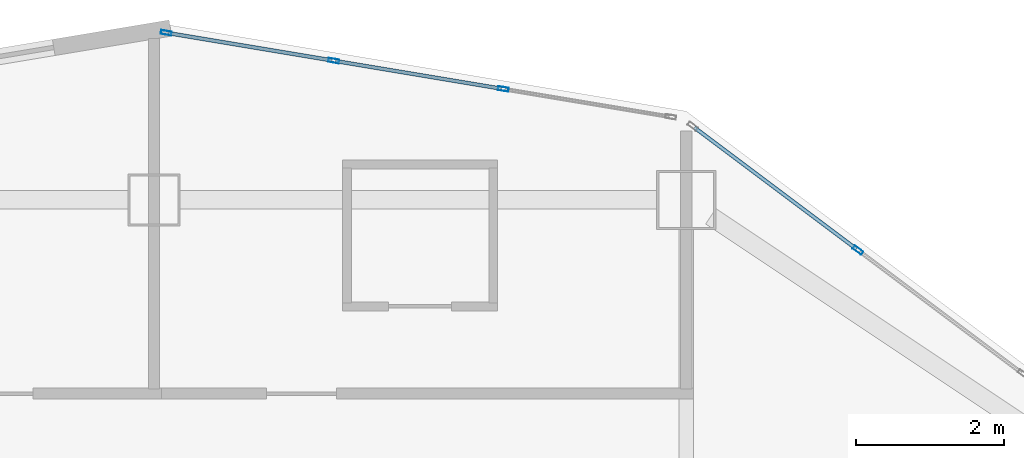
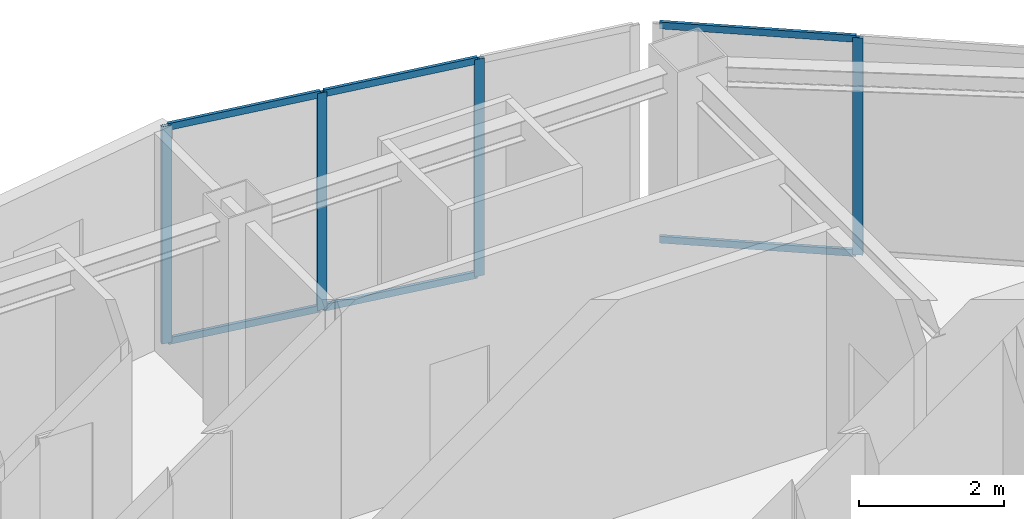
# One storey, part 2 of 10: 10 members, 2 elements without a shape of their own.
"""IFC4 building model written with IfcOpenShell, lengths in metres."""

from ifc_helpers import new_model, si_unit, direction, frame, origin, origin_2d, place, context, subcontext, project, spatial, hollow_rectangle, extrude, material, layer, layer_set, material_profile, profile_set, type_object, element, aggregate, save


model = new_model("IFC4")

# Units and contexts
model_context = context("Model", 3, precision=1e-05, world=origin(), true_north=direction((0.0, 1.0)))
body_context = subcontext(model_context, "Body", "Model", "MODEL_VIEW")
ifc_project = project(units=[si_unit("LENGTHUNIT", "METRE"), si_unit("AREAUNIT", "SQUARE_METRE"), si_unit("VOLUMEUNIT", "CUBIC_METRE"), si_unit("PLANEANGLEUNIT", "RADIAN"), si_unit("MASSUNIT", "GRAM", prefix="KILO")], contexts=[model_context])

# Site, building, storey
site_placement = place(None, origin())
site = spatial("IfcSite", under=ifc_project, at=site_placement, CompositionType="ELEMENT")
building_placement = place(site_placement, origin())
building = spatial("IfcBuilding", under=site, at=building_placement, Name="Haolan Belvedere Tower", CompositionType="ELEMENT")
storey_placement = place(building_placement, frame((0.0, 0.0, 258.300048828125)))
storey = spatial("IfcBuildingStorey", under=building, at=storey_placement, Name="L65", CompositionType="ELEMENT", Elevation=258.300048828125)

# Curtain wall, member
ifc_material_1 = material(Name="Anodised champagne-silver aluminium 6063-T6 and Low-E glass", Category="aluminium")
ifc_layer = layer(ifc_material_1, 0.14501953125, Name="Anodised champagne-silver aluminium 6063-T6 and Low-E glass")
ifc_layer_set = layer_set([ifc_layer], Name="Anodised champagne-silver aluminium 6063-T6 and Low-E glass")
curtain_wall_type = type_object("IfcCurtainWallType", Name="CW-SYS-05", PredefinedType="NOTDEFINED", material=ifc_layer_set)
curtain_wall_1_placement = place(storey_placement, origin())
curtain_wall_1 = element("IfcCurtainWall", 1, at=curtain_wall_1_placement, inside=storey, type_object=curtain_wall_type, Name="L65 CW-SYS-05 ribbon curtain wall 8.1", PredefinedType="NOTDEFINED")
ifc_material_2 = material(Name="Anodised aluminium 6063-T6", Category="aluminium")
ifc_material_profile_1 = material_profile(ifc_material_2, hollow_rectangle(XDim=0.053955078125, YDim=0.14501953125, WallThickness=0.00390625, at=origin_2d()), Name="Anodised aluminium 6063-T6")
ifc_profile_set_1 = profile_set([ifc_material_profile_1], Name="Anodised aluminium 6063-T6")
member_type_1 = type_object("IfcMemberType", Name="CW-SYS-05-MUL", PredefinedType="MULLION", material=ifc_profile_set_1)
member_1_placement = place(storey_placement, frame((47.9228515625, 49.720458984375, 0.0), z_axis=(0.0, 0.0, 1.0), x_axis=(-0.600002837806, -0.799997871638, 0.0)))
member_1 = element("IfcMember", 2, at=member_1_placement, type_object=member_type_1, Name="CW-05 mullion 2", PredefinedType="MULLION", context=body_context, shape_type="SweptSolid", body=[
    extrude(hollow_rectangle(XDim=0.053955078125, YDim=0.14501953125, WallThickness=0.00390625, at=origin_2d()), origin(), (0.0, 0.0, 1.0), 3.669921875),
])

# Curtain wall, members
curtain_wall_2_placement = place(storey_placement, origin())
curtain_wall_2 = element("IfcCurtainWall", 3, at=curtain_wall_2_placement, inside=storey, type_object=curtain_wall_type, Name="L65 CW-SYS-05 ribbon curtain wall 9.1", PredefinedType="NOTDEFINED")
member_2_placement = place(storey_placement, frame((43.124267578125, 51.901123046875, 0.0), z_axis=(0.0, 0.0, 1.0), x_axis=(-0.164405962825, -0.98639276122, 0.0)))
member_2 = element("IfcMember", 4, at=member_2_placement, type_object=member_type_1, Name="CW-05 mullion 2", PredefinedType="MULLION", context=body_context, shape_type="SweptSolid", body=[
    extrude(hollow_rectangle(XDim=0.053955078125, YDim=0.14501953125, WallThickness=0.00390625, at=origin_2d()), origin(), (0.0, 0.0, 1.0), 3.669921875),
])
member_3_placement = place(storey_placement, frame((40.831298828125, 52.283203125, 0.0), z_axis=(0.0, 0.0, 1.0), x_axis=(-0.164405962825, -0.98639276122, 0.0)))
member_3 = element("IfcMember", 5, at=member_3_placement, type_object=member_type_1, Name="CW-05 mullion 3", PredefinedType="MULLION", context=body_context, shape_type="SweptSolid", body=[
    extrude(hollow_rectangle(XDim=0.053955078125, YDim=0.14501953125, WallThickness=0.00390625, at=origin_2d()), origin(), (0.0, 0.0, 1.0), 3.669921875),
])
member_4_placement = place(storey_placement, frame((38.564697265625, 52.6611328125, 0.0), z_axis=(0.0, 0.0, 1.0), x_axis=(-0.164405962825, -0.98639276122, 0.0)))
member_4 = element("IfcMember", 6, at=member_4_placement, type_object=member_type_1, Name="CW-05 mullion 4", PredefinedType="MULLION", context=body_context, shape_type="SweptSolid", body=[
    extrude(hollow_rectangle(XDim=0.053955078125, YDim=0.14501953125, WallThickness=0.00390625, at=origin_2d()), origin(), (0.0, 0.0, 1.0), 3.669921875),
])

# Member
ifc_material_profile_2 = material_profile(ifc_material_2, hollow_rectangle(XDim=0.050048828125, YDim=0.114990234375, WallThickness=0.00390625, at=origin_2d()), Name="Anodised aluminium 6063-T6")
ifc_profile_set_2 = profile_set([ifc_material_profile_2], Name="Anodised aluminium 6063-T6")
member_type_2 = type_object("IfcMemberType", Name="CW-SYS-05-TRN", PredefinedType="USERDEFINED", material=ifc_profile_set_2)
member_5_placement = place(storey_placement, frame((47.901123046875, 49.736572265625, 0.02490234375), z_axis=(-0.8, 0.6, 0.0), x_axis=(-0.6, -0.8, 0.0)))
member_5 = element("IfcMember", 7, at=member_5_placement, type_object=member_type_2, Name="CW-05 transom 2.1", ObjectType="TRANSOM", PredefinedType="USERDEFINED", context=body_context, shape_type="SweptSolid", body=[
    extrude(hollow_rectangle(XDim=0.050048828125, YDim=0.114990234375, WallThickness=0.00390625, at=origin_2d()), origin(), (0.0, 0.0, 1.0), 2.738037109375),
])

member_6_placement = place(storey_placement, frame((47.901123046875, 49.736572265625, 3.64501953125), z_axis=(-0.8, 0.6, 0.0), x_axis=(-0.6, -0.8, 0.0)))
member_6 = element("IfcMember", 8, at=member_6_placement, type_object=member_type_2, Name="CW-05 transom 2.2", ObjectType="TRANSOM", PredefinedType="USERDEFINED", context=body_context, shape_type="SweptSolid", body=[
    extrude(hollow_rectangle(XDim=0.050048828125, YDim=0.114990234375, WallThickness=0.00390625, at=origin_2d()), origin(), (0.0, 0.0, 1.0), 2.738037109375),
])

aggregate(curtain_wall_1, [member_1, member_5, member_6])

member_7_placement = place(storey_placement, frame((43.09765625, 51.905517578125, 0.02490234375), z_axis=(-0.986393923832, 0.164398987305, 0.0), x_axis=(-0.164398987305, -0.986393923832, 0.0)))
member_7 = element("IfcMember", 9, at=member_7_placement, type_object=member_type_2, Name="CW-05 transom 2.1", ObjectType="TRANSOM", PredefinedType="USERDEFINED", context=body_context, shape_type="SweptSolid", body=[
    extrude(hollow_rectangle(XDim=0.050048828125, YDim=0.114990234375, WallThickness=0.00390625, at=origin_2d()), origin(), (0.0, 0.0, 1.0), 2.270751953125),
])

member_8_placement = place(storey_placement, frame((43.09765625, 51.905517578125, 3.64501953125), z_axis=(-0.986393923832, 0.164398987305, 0.0), x_axis=(-0.164398987305, -0.986393923832, 0.0)))
member_8 = element("IfcMember", 10, at=member_8_placement, type_object=member_type_2, Name="CW-05 transom 2.2", ObjectType="TRANSOM", PredefinedType="USERDEFINED", context=body_context, shape_type="SweptSolid", body=[
    extrude(hollow_rectangle(XDim=0.050048828125, YDim=0.114990234375, WallThickness=0.00390625, at=origin_2d()), origin(), (0.0, 0.0, 1.0), 2.270751953125),
])

member_9_placement = place(storey_placement, frame((40.8046875, 52.287841796875, 0.02490234375), z_axis=(-0.986393923832, 0.164398987305, 0.0), x_axis=(-0.164398987305, -0.986393923832, 0.0)))
member_9 = element("IfcMember", 11, at=member_9_placement, type_object=member_type_2, Name="CW-05 transom 3.1", ObjectType="TRANSOM", PredefinedType="USERDEFINED", context=body_context, shape_type="SweptSolid", body=[
    extrude(hollow_rectangle(XDim=0.050048828125, YDim=0.114990234375, WallThickness=0.00390625, at=origin_2d()), origin(), (0.0, 0.0, 1.0), 2.243896484375),
])

member_10_placement = place(storey_placement, frame((40.8046875, 52.287841796875, 3.64501953125), z_axis=(-0.986393923832, 0.164398987305, 0.0), x_axis=(-0.164398987305, -0.986393923832, 0.0)))
member_10 = element("IfcMember", 12, at=member_10_placement, type_object=member_type_2, Name="CW-05 transom 3.2", ObjectType="TRANSOM", PredefinedType="USERDEFINED", context=body_context, shape_type="SweptSolid", body=[
    extrude(hollow_rectangle(XDim=0.050048828125, YDim=0.114990234375, WallThickness=0.00390625, at=origin_2d()), origin(), (0.0, 0.0, 1.0), 2.243896484375),
])

aggregate(curtain_wall_2, [member_2, member_3, member_4, member_7, member_8, member_9, member_10])

save(model, "model.ifc")
